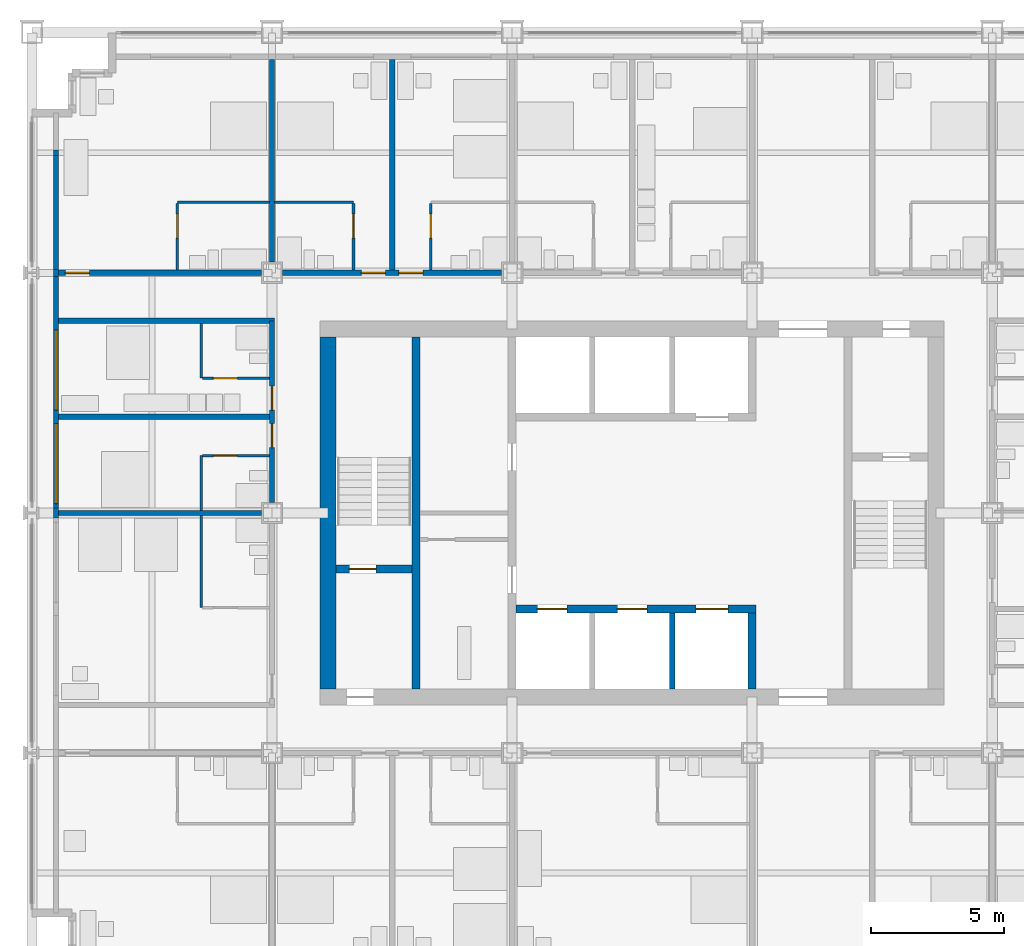
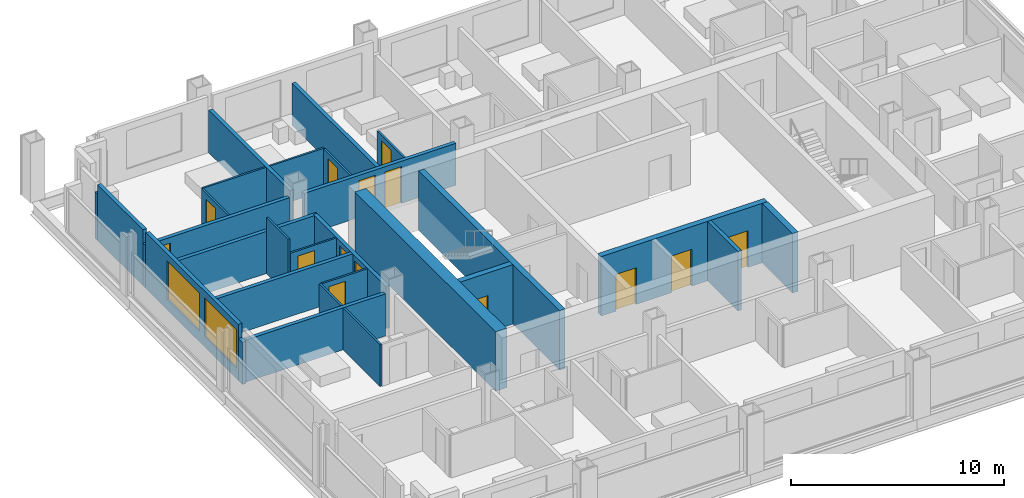
# One storey, part 10 of 17: 29 walls, 14 doors, 2 windows, 16 openings.
"""IFC4 building model written with IfcOpenShell, lengths in metres."""

import ifcopenshell
import ifcopenshell.guid

model = None  # the IFC model being written
_history = None  # IfcOwnerHistory: only IFC2X3 demands one
_inside = {}  # id of a spatial element -> (the spatial element, [elements in it])
_under = {}  # id of a project, library or spatial element -> (it, [spatial elements below it])
_declared = {}  # id of a project -> (the project, [libraries it declares])
_typed = {}  # id of a type object -> (the type object, [elements of that type])
_made_of = {}  # id of a material, layer set ... -> (it, [elements and type objects made of it])


def new_model(schema):
    """Start an empty IFC model of exactly this schema.

    Asked for "IFC4X3", IfcOpenShell would pick the latest addendum, in which some entities
    have other attributes; the version numbers below select the first issue.
    IFC2X3 requires an IfcOwnerHistory on every rooted entity: one is made here for all.
    """
    global model, _history
    if schema == "IFC4X3":
        model = ifcopenshell.file(schema_version=(4, 3, 0, 0))
    else:
        model = ifcopenshell.file(schema=schema)
    _inside.clear()
    _under.clear()
    _declared.clear()
    _typed.clear()
    _made_of.clear()
    _history = None
    if model.schema == "IFC2X3":
        org = make("IfcOrganization", Name="unknown")
        user = make(
            "IfcPersonAndOrganization",
            ThePerson=make("IfcPerson", FamilyName="unknown"),
            TheOrganization=org,
        )
        app = make(
            "IfcApplication",
            ApplicationDeveloper=org,
            Version="unknown",
            ApplicationFullName="unknown",
            ApplicationIdentifier="unknown",
        )
        _history = make(
            "IfcOwnerHistory",
            OwningUser=user,
            OwningApplication=app,
            ChangeAction="ADDED",
            CreationDate=0,
        )
    return model


def make(cls, **values):
    """One entity of the class cls with the attributes given. An attribute that is None is left unset."""
    return model.create_entity(
        cls, **{name: value for name, value in values.items() if value is not None}
    )


def rooted(cls, **values):
    """An entity with a GlobalId (a new one), such as an element, a storey or a relation."""
    return make(cls, GlobalId=ifcopenshell.guid.new(), OwnerHistory=_history, **values)


def si_unit(unit_type, name, prefix=None):
    """IfcSIUnit, for example si_unit("LENGTHUNIT", "METRE", prefix="MILLI")."""
    return make("IfcSIUnit", UnitType=unit_type, Prefix=prefix, Name=name)


def assignment(units):
    """IfcUnitAssignment: the units of a project."""
    return None if units is None else make("IfcUnitAssignment", Units=units)


def point(xyz):
    """IfcCartesianPoint."""
    return None if xyz is None else make("IfcCartesianPoint", Coordinates=xyz)


def direction(xyz):
    """IfcDirection."""
    return None if xyz is None else make("IfcDirection", DirectionRatios=xyz)


def frame(location, z_axis=None, x_axis=None):
    """IfcAxis2Placement3D, a coordinate frame: its origin and axes. An axis left out is left unset."""
    return make(
        "IfcAxis2Placement3D",
        Location=point(location),
        Axis=direction(z_axis),
        RefDirection=direction(x_axis),
    )


def frame_2d(location, x_axis=None):
    """IfcAxis2Placement2D, a coordinate frame in the plane: its origin and x axis."""
    return make(
        "IfcAxis2Placement2D", Location=point(location), RefDirection=direction(x_axis)
    )


def origin():
    """The frame at (0, 0, 0) with its axes left unset."""
    return frame((0.0, 0.0, 0.0))


def place(relative_to, where):
    """IfcLocalPlacement: puts the frame where relative to a parent placement (None: the world)."""
    return make(
        "IfcLocalPlacement", PlacementRelTo=relative_to, RelativePlacement=where
    )


def context(
    kind, dimensions, precision=None, world=None, true_north=None, identifier=None
):
    """IfcGeometricRepresentationContext, for example the 3D "Model" context."""
    return make(
        "IfcGeometricRepresentationContext",
        ContextIdentifier=identifier,
        ContextType=kind,
        CoordinateSpaceDimension=dimensions,
        Precision=precision,
        WorldCoordinateSystem=world,
        TrueNorth=true_north,
    )


def subcontext(parent, identifier, kind, view, scale=None):
    """IfcGeometricRepresentationSubContext, for example "Body" below "Model"."""
    return make(
        "IfcGeometricRepresentationSubContext",
        ContextIdentifier=identifier,
        ContextType=kind,
        ParentContext=parent,
        TargetScale=scale,
        TargetView=view,
    )


def project(units=None, contexts=None):
    """IfcProject with its units and contexts."""
    return rooted(
        "IfcProject",
        Name="project",
        RepresentationContexts=contexts,
        UnitsInContext=assignment(units),
    )


def spatial(cls, under=None, at=None, **own):
    """A site, building, storey or space (cls), placed at a placement, below another one or the project."""
    s = rooted(cls, ObjectPlacement=at, **own)
    if under is not None:
        _under.setdefault(under.id(), (under, []))[1].append(s)
    return s


def profile(cls, at=None, kind="AREA", **sizes):
    """A parametric profile (cls). Its sizes go by their IFC names, for example OverallWidth=200.0."""
    return make(cls, ProfileType=kind, Position=at, **sizes)


def rectangle(**sizes):
    """IfcRectangleProfileDef."""
    return profile("IfcRectangleProfileDef", **sizes)


def extrude(swept, where, along, depth):
    """IfcExtrudedAreaSolid: the profile swept, set in the frame where, extruded along a direction by depth."""
    return make(
        "IfcExtrudedAreaSolid",
        SweptArea=swept,
        Position=where,
        ExtrudedDirection=direction(along),
        Depth=depth,
    )


def shape(context_of_items, identifier, shape_type, items):
    """IfcShapeRepresentation: the items that make up one representation, for example the "Body"."""
    return make(
        "IfcShapeRepresentation",
        ContextOfItems=context_of_items,
        RepresentationIdentifier=identifier,
        RepresentationType=shape_type,
        Items=items,
    )


def material(Name=None, Category=None):
    """IfcMaterial."""
    return make("IfcMaterial", Name=Name, Category=Category)


def layer(
    of_material, thickness, ventilated=None, Name=None, Category=None, Priority=None
):
    """IfcMaterialLayer: one layer of a wall or slab, of a material (None: an air gap)."""
    return make(
        "IfcMaterialLayer",
        Material=of_material,
        LayerThickness=thickness,
        IsVentilated=ventilated,
        Name=Name,
        Category=Category,
        Priority=Priority,
    )


def layer_set(layers, Name=None):
    """IfcMaterialLayerSet."""
    return make("IfcMaterialLayerSet", MaterialLayers=layers, LayerSetName=Name)


def made_of(thing, what):
    """Note that an element or type object is made of a material, layer set ...; save() writes the relation."""
    if what is not None:
        _made_of.setdefault(what.id(), (what, []))[1].append(thing)
    return thing


def type_object(cls, material=None, **own):
    """A type object (cls), such as IfcWallType, which elements share."""
    return made_of(rooted(cls, **own), material)


def element(
    cls,
    number,
    at=None,
    inside=None,
    cuts=None,
    type_object=None,
    material=None,
    context=None,
    identifier="Body",
    shape_type=None,
    held_by="IfcProductDefinitionShape",
    body=None,
    shapes=None,
    **own,
):
    """One element of the class cls, such as IfcWall. Its Tag is "e" and its number.

    at: its placement. inside: the storey or other place that contains it. cuts: it is an
    opening in that element (IfcRelVoidsElement). A single representation is given by context,
    identifier, shape_type and body (its items); several are given by shapes. held_by: the class
    of the entity that holds the representations. save() writes the other relations.
    """
    e = rooted(cls, Tag="e%d" % number, ObjectPlacement=at, **own)
    if body is not None:
        shapes = [shape(context, identifier, shape_type, body)]
    if shapes is not None:
        e.Representation = make(held_by, Representations=shapes)
    if inside is not None:
        _inside.setdefault(inside.id(), (inside, []))[1].append(e)
    if cuts is not None:
        rooted(
            "IfcRelVoidsElement", RelatingBuildingElement=cuts, RelatedOpeningElement=e
        )
    if type_object is not None:
        _typed.setdefault(type_object.id(), (type_object, []))[1].append(e)
    return made_of(e, material)


def fill(opening, filler):
    """IfcRelFillsElement: the door or window that sits in an opening."""
    return rooted(
        "IfcRelFillsElement",
        RelatingOpeningElement=opening,
        RelatedBuildingElement=filler,
    )


def aggregate(whole, parts):
    """IfcRelAggregates: a whole, such as a stair, and the parts it consists of."""
    return rooted("IfcRelAggregates", RelatingObject=whole, RelatedObjects=parts)


def save(model, path):
    """Write the relations noted so far, then the file.

    IfcRelAggregates (storeys below a building ...), IfcRelContainedInSpatialStructure (elements
    in a storey), IfcRelDefinesByType, IfcRelAssociatesMaterial and IfcRelDeclares: one each for
    every whole, place, type object, material and project.
    """
    for whole, parts in _under.values():
        aggregate(whole, parts)
    for where, things in _inside.values():
        rooted(
            "IfcRelContainedInSpatialStructure",
            RelatedElements=things,
            RelatingStructure=where,
        )
    for kind, things in _typed.values():
        rooted("IfcRelDefinesByType", RelatedObjects=things, RelatingType=kind)
    for what, things in _made_of.values():
        rooted("IfcRelAssociatesMaterial", RelatedObjects=things, RelatingMaterial=what)
    for by, libraries in _declared.values():
        rooted("IfcRelDeclares", RelatingContext=by, RelatedDefinitions=libraries)
    model.write(path)


model = new_model("IFC4")

# Units and contexts
model_context = context("Model", 3, precision=1e-05, world=origin(), true_north=direction((0.0, 1.0)))
body_context = subcontext(model_context, "Body", "Model", "MODEL_VIEW")
ifc_project = project(units=[si_unit("LENGTHUNIT", "METRE"), si_unit("AREAUNIT", "SQUARE_METRE"), si_unit("VOLUMEUNIT", "CUBIC_METRE"), si_unit("PLANEANGLEUNIT", "RADIAN"), si_unit("MASSUNIT", "GRAM", prefix="KILO")], contexts=[model_context])

# Site, building, storey
site_placement = place(None, origin())
site = spatial("IfcSite", under=ifc_project, at=site_placement, CompositionType="ELEMENT")
building_placement = place(site_placement, origin())
building = spatial("IfcBuilding", under=site, at=building_placement, Name="Loomwork Tower", CompositionType="ELEMENT")
storey_placement = place(building_placement, frame((0.0, 0.0, 141.800048828125)))
storey = spatial("IfcBuildingStorey", under=building, at=storey_placement, Name="L38", CompositionType="ELEMENT", Elevation=141.800048828125)

# Wall
ifc_material_1 = material(Name="Concrete 14000 psi (97 MPa)", Category="concrete")
ifc_layer_1 = layer(ifc_material_1, 0.300048828125)
ifc_layer_set_1 = layer_set([ifc_layer_1], Name="Core shear wall 300")
wall_type_1 = type_object("IfcWallType", Name="Core shear wall 300", PredefinedType="SHEAR", material=ifc_layer_set_1)
wall_1_placement = place(storey_placement, frame((14.39990234375, 11.39990234375, 0.0), z_axis=(0.0, 0.0, 1.0), x_axis=(0.0, 1.0, 0.0)))
element("IfcWall", 1, at=wall_1_placement, inside=storey, type_object=wall_type_1, Name="Stair A east wall L38", PredefinedType="SHEAR", context=body_context, shape_type="SweptSolid", body=[
    extrude(rectangle(XDim=13.2001953125, YDim=0.300048828125, at=frame_2d((6.60009765625, 0.0))), origin(), (0.0, 0.0, 1.0), 3.39990234375),
])

# Wall, opening, door
wall_2_placement = place(storey_placement, frame((11.39990234375, 15.89990234375, 0.0), z_axis=(0.0, 0.0, 1.0), x_axis=(1.0, 0.0, 0.0)))
wall_2 = element("IfcWall", 2, at=wall_2_placement, inside=storey, type_object=wall_type_1, Name="Stair A south wall L38", PredefinedType="SHEAR", context=body_context, shape_type="SweptSolid", body=[
    extrude(rectangle(XDim=2.85009765625, YDim=0.300048828125, at=frame_2d((1.425048828125, 0.0))), origin(), (0.0, 0.0, 1.0), 3.39990234375),
])
opening_1_placement = place(wall_2_placement, frame((0.5, 0.0, 0.0)))
opening_1 = element("IfcOpeningElement", 3, at=opening_1_placement, cuts=wall_2, Name="Opening D4", PredefinedType="OPENING", context=body_context, shape_type="SweptSolid", body=[
    extrude(rectangle(XDim=1.0, YDim=2.10009765625, at=frame_2d((0.5, 1.050048828125))), frame((0.0, 0.159912109375, 0.0), z_axis=(0.0, -1.0, 0.0), x_axis=(1.0, 0.0, 0.0)), (0.0, 0.0, 1.0), 0.320068359375),
])
ifc_material_2 = material(Name="Hollow metal door and frame")
door_type_1 = type_object("IfcDoorType", Name="Stair door 1000", OperationType="SINGLE_SWING_RIGHT", PredefinedType="DOOR", material=ifc_material_2)
door_1_placement = place(opening_1_placement, origin())
door_1 = element("IfcDoor", 4, at=door_1_placement, inside=storey, type_object=door_type_1, Name="Stair A door", OperationType="SINGLE_SWING_LEFT", OverallHeight=2.10009765625, OverallWidth=1.0, PredefinedType="DOOR", context=body_context, shape_type="SweptSolid", body=[
    extrude(rectangle(XDim=1.0, YDim=2.10009765625, at=frame_2d((0.5, 1.050048828125))), frame((0.0, 0.02490234375, 0.0), z_axis=(0.0, -1.0, 0.0), x_axis=(1.0, 0.0, 0.0)), (0.0, 0.0, 1.0), 0.050048828125),
])
fill(opening_1, door_1)

# Wall, openings, doors
wall_3_placement = place(storey_placement, frame((18.14990234375, 14.39990234375, 0.0), z_axis=(0.0, 0.0, 1.0), x_axis=(1.0, 0.0, 0.0)))
wall_3 = element("IfcWall", 5, at=wall_3_placement, inside=storey, type_object=wall_type_1, Name="Lift front wall south L38", PredefinedType="SHEAR", context=body_context, shape_type="SweptSolid", body=[
    extrude(rectangle(XDim=9.0, YDim=0.300048828125, at=frame_2d((4.5, 0.0))), origin(), (0.0, 0.0, 1.0), 3.39990234375),
])
opening_2_placement = place(wall_3_placement, frame((0.800048828125, 0.0, 0.0)))
opening_2 = element("IfcOpeningElement", 6, at=opening_2_placement, cuts=wall_3, Name="Opening LD1", PredefinedType="OPENING", context=body_context, shape_type="SweptSolid", body=[
    extrude(rectangle(XDim=1.10009765625, YDim=2.10009765625, at=frame_2d((0.550048828125, 1.050048828125))), frame((0.0, 0.159912109375, 0.0), z_axis=(0.0, -1.0, 0.0), x_axis=(1.0, 0.0, 0.0)), (0.0, 0.0, 1.0), 0.320068359375),
])
opening_3_placement = place(wall_3_placement, frame((3.800048828125, 0.0, 0.0)))
opening_3 = element("IfcOpeningElement", 7, at=opening_3_placement, cuts=wall_3, Name="Opening LD1", PredefinedType="OPENING", context=body_context, shape_type="SweptSolid", body=[
    extrude(rectangle(XDim=1.10009765625, YDim=2.10009765625, at=frame_2d((0.550048828125, 1.050048828125))), frame((0.0, 0.159912109375, 0.0), z_axis=(0.0, -1.0, 0.0), x_axis=(1.0, 0.0, 0.0)), (0.0, 0.0, 1.0), 0.320068359375),
])
opening_4_placement = place(wall_3_placement, frame((6.75, 0.0, 0.0)))
opening_4 = element("IfcOpeningElement", 8, at=opening_4_placement, cuts=wall_3, Name="Opening LD2", PredefinedType="OPENING", context=body_context, shape_type="SweptSolid", body=[
    extrude(rectangle(XDim=1.199951171875, YDim=2.10009765625, at=frame_2d((0.60009765625, 1.050048828125))), frame((0.0, 0.159912109375, 0.0), z_axis=(0.0, -1.0, 0.0), x_axis=(1.0, 0.0, 0.0)), (0.0, 0.0, 1.0), 0.320068359375),
])
ifc_material_3 = material(Name="Hollow metal door and frame")
door_type_2 = type_object("IfcDoorType", Name="Lift landing door 1100", OperationType="SLIDING_TO_LEFT", PredefinedType="DOOR", material=ifc_material_3)
door_2_placement = place(opening_2_placement, origin())
door_2 = element("IfcDoor", 9, at=door_2_placement, inside=storey, type_object=door_type_2, Name="Lift landing door LB1", OperationType="SLIDING_TO_LEFT", OverallHeight=2.10009765625, OverallWidth=1.10009765625, PredefinedType="DOOR", context=body_context, shape_type="SweptSolid", body=[
    extrude(rectangle(XDim=1.10009765625, YDim=2.10009765625, at=frame_2d((0.550048828125, 1.050048828125))), frame((0.0, 0.02490234375, 0.0), z_axis=(0.0, -1.0, 0.0), x_axis=(1.0, 0.0, 0.0)), (0.0, 0.0, 1.0), 0.050048828125),
])
fill(opening_2, door_2)
door_3_placement = place(opening_3_placement, origin())
door_3 = element("IfcDoor", 10, at=door_3_placement, inside=storey, type_object=door_type_2, Name="Lift landing door LB2", OperationType="SLIDING_TO_LEFT", OverallHeight=2.10009765625, OverallWidth=1.10009765625, PredefinedType="DOOR", context=body_context, shape_type="SweptSolid", body=[
    extrude(rectangle(XDim=1.10009765625, YDim=2.10009765625, at=frame_2d((0.550048828125, 1.050048828125))), frame((0.0, 0.02490234375, 0.0), z_axis=(0.0, -1.0, 0.0), x_axis=(1.0, 0.0, 0.0)), (0.0, 0.0, 1.0), 0.050048828125),
])
fill(opening_3, door_3)
ifc_material_4 = material(Name="Hollow metal door and frame")
door_type_3 = type_object("IfcDoorType", Name="Lift landing door 1200", OperationType="SLIDING_TO_LEFT", PredefinedType="DOOR", material=ifc_material_4)
door_4_placement = place(opening_4_placement, origin())
door_4 = element("IfcDoor", 11, at=door_4_placement, inside=storey, type_object=door_type_3, Name="Lift landing door LF1", OperationType="SLIDING_TO_LEFT", OverallHeight=2.10009765625, OverallWidth=1.199951171875, PredefinedType="DOOR", context=body_context, shape_type="SweptSolid", body=[
    extrude(rectangle(XDim=1.199951171875, YDim=2.10009765625, at=frame_2d((0.60009765625, 1.050048828125))), frame((0.0, 0.02490234375, 0.0), z_axis=(0.0, -1.0, 0.0), x_axis=(1.0, 0.0, 0.0)), (0.0, 0.0, 1.0), 0.050048828125),
])
fill(opening_4, door_4)

# Walls
wall_4_placement = place(storey_placement, frame((27.0, 11.39990234375, 0.0), z_axis=(0.0, 0.0, 1.0), x_axis=(0.0, 1.0, 0.0)))
element("IfcWall", 12, at=wall_4_placement, inside=storey, type_object=wall_type_1, Name="Lift shaft end wall south L38", PredefinedType="SHEAR", context=body_context, shape_type="SweptSolid", body=[
    extrude(rectangle(XDim=2.85009765625, YDim=0.300048828125, at=frame_2d((1.425048828125, 0.0))), origin(), (0.0, 0.0, 1.0), 3.39990234375),
])
ifc_material_5 = material(Name="Concrete 14000 psi (97 MPa)", Category="concrete")
ifc_layer_2 = layer(ifc_material_5, 0.60009765625)
ifc_layer_set_2 = layer_set([ifc_layer_2], Name="Core shear wall 600")
wall_type_2 = type_object("IfcWallType", Name="Core shear wall 600", PredefinedType="SHEAR", material=ifc_layer_set_2)
wall_5_placement = place(storey_placement, frame((11.10009765625, 11.39990234375, 0.0), z_axis=(0.0, 0.0, 1.0), x_axis=(0.0, 1.0, 0.0)))
element("IfcWall", 13, at=wall_5_placement, inside=storey, type_object=wall_type_2, Name="Core wall west L38", PredefinedType="SHEAR", context=body_context, shape_type="SweptSolid", body=[
    extrude(rectangle(XDim=13.2001953125, YDim=0.60009765625, at=frame_2d((6.60009765625, 0.0))), origin(), (0.0, 0.0, 1.0), 3.39990234375),
])

# Wall, opening, door
ifc_material_6 = material(Name="Gypsum board on steel studs, one-hour", Category="steel")
ifc_layer_3 = layer(ifc_material_6, 0.199951171875)
ifc_layer_set_3 = layer_set([ifc_layer_3], Name="Corridor wall 200")
wall_type_3 = type_object("IfcWallType", Name="Corridor wall 200", PredefinedType="PARTITIONING", material=ifc_layer_set_3)
wall_6_placement = place(storey_placement, frame((1.0, 27.0, 0.0), z_axis=(0.0, 0.0, 1.0), x_axis=(1.0, 0.0, 0.0)))
wall_6 = element("IfcWall", 14, at=wall_6_placement, inside=storey, type_object=wall_type_3, Name="North corridor wall 1", PredefinedType="PARTITIONING", context=body_context, shape_type="SweptSolid", body=[
    extrude(rectangle(XDim=7.60009765625, YDim=0.199951171875, at=frame_2d((3.800048828125, 0.0))), origin(), (0.0, 0.0, 1.0), 2.43798828125),
])
opening_5_placement = place(wall_6_placement, frame((0.25, 0.0, 0.0)))
opening_5 = element("IfcOpeningElement", 15, at=opening_5_placement, cuts=wall_6, Name="Opening D1", PredefinedType="OPENING", context=body_context, shape_type="SweptSolid", body=[
    extrude(rectangle(XDim=0.89990234375, YDim=2.10009765625, at=frame_2d((0.449951171875, 1.050048828125))), frame((0.0, 0.10986328125, 0.0), z_axis=(0.0, -1.0, 0.0), x_axis=(1.0, 0.0, 0.0)), (0.0, 0.0, 1.0), 0.219970703125),
])
ifc_material_7 = material(Name="Hollow metal door and frame")
door_type_4 = type_object("IfcDoorType", Name="Guest room entry door 900", OperationType="SINGLE_SWING_LEFT", PredefinedType="DOOR", material=ifc_material_7)
door_5_placement = place(opening_5_placement, origin())
door_5 = element("IfcDoor", 16, at=door_5_placement, inside=storey, type_object=door_type_4, Name="Guest room entry door L38 7", OperationType="SINGLE_SWING_LEFT", OverallHeight=2.10009765625, OverallWidth=0.89990234375, PredefinedType="DOOR", context=body_context, shape_type="SweptSolid", body=[
    extrude(rectangle(XDim=0.89990234375, YDim=2.10009765625, at=frame_2d((0.449951171875, 1.050048828125))), frame((0.0, 0.02490234375, 0.0), z_axis=(0.0, -1.0, 0.0), x_axis=(1.0, 0.0, 0.0)), (0.0, 0.0, 1.0), 0.050048828125),
])
fill(opening_5, door_5)

# Wall, openings, doors
wall_7_placement = place(storey_placement, frame((9.39990234375, 27.0, 0.0), z_axis=(0.0, 0.0, 1.0), x_axis=(1.0, 0.0, 0.0)))
wall_7 = element("IfcWall", 17, at=wall_7_placement, inside=storey, type_object=wall_type_3, Name="North corridor wall 2", PredefinedType="PARTITIONING", context=body_context, shape_type="SweptSolid", body=[
    extrude(rectangle(XDim=8.2001953125, YDim=0.199951171875, at=frame_2d((4.10009765625, 0.0))), origin(), (0.0, 0.0, 1.0), 2.405029296875),
])
opening_6_placement = place(wall_7_placement, frame((2.949951171875, 0.0, 0.0)))
opening_6 = element("IfcOpeningElement", 18, at=opening_6_placement, cuts=wall_7, Name="Opening D1", PredefinedType="OPENING", context=body_context, shape_type="SweptSolid", body=[
    extrude(rectangle(XDim=0.89990234375, YDim=2.10009765625, at=frame_2d((0.449951171875, 1.050048828125))), frame((0.0, 0.10986328125, 0.0), z_axis=(0.0, -1.0, 0.0), x_axis=(1.0, 0.0, 0.0)), (0.0, 0.0, 1.0), 0.219970703125),
])
opening_7_placement = place(wall_7_placement, frame((4.35009765625, 0.0, 0.0)))
opening_7 = element("IfcOpeningElement", 19, at=opening_7_placement, cuts=wall_7, Name="Opening D1", PredefinedType="OPENING", context=body_context, shape_type="SweptSolid", body=[
    extrude(rectangle(XDim=0.89990234375, YDim=2.10009765625, at=frame_2d((0.449951171875, 1.050048828125))), frame((0.0, 0.10986328125, 0.0), z_axis=(0.0, -1.0, 0.0), x_axis=(1.0, 0.0, 0.0)), (0.0, 0.0, 1.0), 0.219970703125),
])
door_6_placement = place(opening_6_placement, origin())
door_6 = element("IfcDoor", 20, at=door_6_placement, inside=storey, type_object=door_type_4, Name="Guest room entry door L38 8", OperationType="SINGLE_SWING_RIGHT", OverallHeight=2.10009765625, OverallWidth=0.89990234375, PredefinedType="DOOR", context=body_context, shape_type="SweptSolid", body=[
    extrude(rectangle(XDim=0.89990234375, YDim=2.10009765625, at=frame_2d((0.449951171875, 1.050048828125))), frame((0.0, 0.02490234375, 0.0), z_axis=(0.0, -1.0, 0.0), x_axis=(1.0, 0.0, 0.0)), (0.0, 0.0, 1.0), 0.050048828125),
])
fill(opening_6, door_6)
door_7_placement = place(opening_7_placement, origin())
door_7 = element("IfcDoor", 21, at=door_7_placement, inside=storey, type_object=door_type_4, Name="Guest room entry door L38 9", OperationType="SINGLE_SWING_LEFT", OverallHeight=2.10009765625, OverallWidth=0.89990234375, PredefinedType="DOOR", context=body_context, shape_type="SweptSolid", body=[
    extrude(rectangle(XDim=0.89990234375, YDim=2.10009765625, at=frame_2d((0.449951171875, 1.050048828125))), frame((0.0, 0.02490234375, 0.0), z_axis=(0.0, -1.0, 0.0), x_axis=(1.0, 0.0, 0.0)), (0.0, 0.0, 1.0), 0.050048828125),
])
fill(opening_7, door_7)

wall_8_placement = place(storey_placement, frame((9.0, 18.39990234375, 0.0), z_axis=(0.0, 0.0, 1.0), x_axis=(0.0, 1.0, 0.0)))
wall_8 = element("IfcWall", 22, at=wall_8_placement, inside=storey, type_object=wall_type_3, Name="West corridor wall 2", PredefinedType="PARTITIONING", context=body_context, shape_type="SweptSolid", body=[
    extrude(rectangle(XDim=6.800048828125, YDim=0.199951171875, at=frame_2d((3.39990234375, 0.0))), origin(), (0.0, 0.0, 1.0), 2.405029296875),
])
opening_8_placement = place(wall_8_placement, frame((2.050048828125, 0.0, 0.0)))
opening_8 = element("IfcOpeningElement", 23, at=opening_8_placement, cuts=wall_8, Name="Opening D1", PredefinedType="OPENING", context=body_context, shape_type="SweptSolid", body=[
    extrude(rectangle(XDim=0.89990234375, YDim=2.10009765625, at=frame_2d((0.449951171875, 1.050048828125))), frame((0.0, 0.10986328125, 0.0), z_axis=(0.0, -1.0, 0.0), x_axis=(1.0, 0.0, 0.0)), (0.0, 0.0, 1.0), 0.219970703125),
])
opening_9_placement = place(wall_8_placement, frame((3.449951171875, 0.0, 0.0)))
opening_9 = element("IfcOpeningElement", 24, at=opening_9_placement, cuts=wall_8, Name="Opening D1", PredefinedType="OPENING", context=body_context, shape_type="SweptSolid", body=[
    extrude(rectangle(XDim=0.89990234375, YDim=2.10009765625, at=frame_2d((0.449951171875, 1.050048828125))), frame((0.0, 0.10986328125, 0.0), z_axis=(0.0, -1.0, 0.0), x_axis=(1.0, 0.0, 0.0)), (0.0, 0.0, 1.0), 0.219970703125),
])
door_8_placement = place(opening_8_placement, origin())
door_8 = element("IfcDoor", 25, at=door_8_placement, inside=storey, type_object=door_type_4, Name="Guest room entry door L38 15", OperationType="SINGLE_SWING_RIGHT", OverallHeight=2.10009765625, OverallWidth=0.89990234375, PredefinedType="DOOR", context=body_context, shape_type="SweptSolid", body=[
    extrude(rectangle(XDim=0.89990234375, YDim=2.10009765625, at=frame_2d((0.449951171875, 1.050048828125))), frame((0.0, 0.02490234375, 0.0), z_axis=(0.0, -1.0, 0.0), x_axis=(1.0, 0.0, 0.0)), (0.0, 0.0, 1.0), 0.050048828125),
])
fill(opening_8, door_8)
door_9_placement = place(opening_9_placement, origin())
door_9 = element("IfcDoor", 26, at=door_9_placement, inside=storey, type_object=door_type_4, Name="Guest room entry door L38 16", OperationType="SINGLE_SWING_LEFT", OverallHeight=2.10009765625, OverallWidth=0.89990234375, PredefinedType="DOOR", context=body_context, shape_type="SweptSolid", body=[
    extrude(rectangle(XDim=0.89990234375, YDim=2.10009765625, at=frame_2d((0.449951171875, 1.050048828125))), frame((0.0, 0.02490234375, 0.0), z_axis=(0.0, -1.0, 0.0), x_axis=(1.0, 0.0, 0.0)), (0.0, 0.0, 1.0), 0.050048828125),
])
fill(opening_9, door_9)

# Walls
wall_9_placement = place(storey_placement, frame((1.0, 25.199951171875, 0.0), z_axis=(0.0, 0.0, 1.0), x_axis=(1.0, 0.0, 0.0)))
element("IfcWall", 27, at=wall_9_placement, inside=storey, type_object=wall_type_3, Name="West band end wall N", PredefinedType="PARTITIONING", context=body_context, shape_type="SweptSolid", body=[
    extrude(rectangle(XDim=8.10009765625, YDim=0.199951171875, at=frame_2d((4.050048828125, 0.0))), origin(), (0.0, 0.0, 1.0), 2.404052734375),
])
ifc_material_8 = material(Name="Cement board on steel studs", Category="steel")
ifc_layer_4 = layer(ifc_material_8, 0.10009765625)
ifc_layer_set_4 = layer_set([ifc_layer_4], Name="En-suite partition 100")
wall_type_4 = type_object("IfcWallType", Name="En-suite partition 100", PredefinedType="PARTITIONING", material=ifc_layer_set_4)
wall_10_placement = place(storey_placement, frame((5.449951171875, 29.64990234375, 0.0), z_axis=(0.0, 0.0, 1.0), x_axis=(1.0, 0.0, 0.0)))
element("IfcWall", 28, at=wall_10_placement, inside=storey, type_object=wall_type_4, Name="En-suite wall L38 room 7", PredefinedType="PARTITIONING", context=body_context, shape_type="SweptSolid", body=[
    extrude(rectangle(XDim=3.449951171875, YDim=0.10009765625, at=frame_2d((1.72509765625, 0.0))), origin(), (0.0, 0.0, 1.0), 2.43798828125),
])

# Wall, opening, door
wall_11_placement = place(storey_placement, frame((5.449951171875, 27.10009765625, 0.0), z_axis=(0.0, 0.0, 1.0), x_axis=(0.0, 1.0, 0.0)))
wall_11 = element("IfcWall", 29, at=wall_11_placement, inside=storey, type_object=wall_type_4, Name="En-suite side wall L38 room 7", PredefinedType="PARTITIONING", context=body_context, shape_type="SweptSolid", body=[
    extrude(rectangle(XDim=2.5, YDim=0.10009765625, at=frame_2d((1.25, 0.0))), origin(), (0.0, 0.0, 1.0), 2.43798828125),
])
opening_10_placement = place(wall_11_placement, frame((1.199951171875, 0.0, 0.0)))
opening_10 = element("IfcOpeningElement", 30, at=opening_10_placement, cuts=wall_11, Name="Opening D2", PredefinedType="OPENING", context=body_context, shape_type="SweptSolid", body=[
    extrude(rectangle(XDim=0.89990234375, YDim=2.10009765625, at=frame_2d((0.449951171875, 1.050048828125))), frame((0.0, 0.06005859375, 0.0), z_axis=(0.0, -1.0, 0.0), x_axis=(1.0, 0.0, 0.0)), (0.0, 0.0, 1.0), 0.1201171875),
])
ifc_material_9 = material(Name="Hollow metal door and frame")
door_type_5 = type_object("IfcDoorType", Name="En-suite door 900", OperationType="SINGLE_SWING_LEFT", PredefinedType="DOOR", material=ifc_material_9)
door_10_placement = place(opening_10_placement, frame((0.89990234375, 0.0, 0.0), z_axis=(0.0, 0.0, 1.0), x_axis=(-1.0, 0.0, 0.0)))
door_10 = element("IfcDoor", 31, at=door_10_placement, inside=storey, type_object=door_type_5, Name="En-suite door room 7", OperationType="SINGLE_SWING_LEFT", OverallHeight=2.10009765625, OverallWidth=0.89990234375, PredefinedType="DOOR", context=body_context, shape_type="SweptSolid", body=[
    extrude(rectangle(XDim=0.89990234375, YDim=2.10009765625, at=frame_2d((0.449951171875, 1.050048828125))), frame((0.0, 0.02490234375, 0.0), z_axis=(0.0, -1.0, 0.0), x_axis=(1.0, 0.0, 0.0)), (0.0, 0.0, 1.0), 0.050048828125),
])
fill(opening_10, door_10)

# Wall
wall_12_placement = place(storey_placement, frame((9.10009765625, 29.64990234375, 0.0), z_axis=(0.0, 0.0, 1.0), x_axis=(1.0, 0.0, 0.0)))
element("IfcWall", 32, at=wall_12_placement, inside=storey, type_object=wall_type_4, Name="En-suite wall L38 room 8", PredefinedType="PARTITIONING", context=body_context, shape_type="SweptSolid", body=[
    extrude(rectangle(XDim=2.949951171875, YDim=0.10009765625, at=frame_2d((1.47509765625, 0.0))), origin(), (0.0, 0.0, 1.0), 2.43798828125),
])

# Wall, opening, door
wall_13_placement = place(storey_placement, frame((12.050048828125, 27.10009765625, 0.0), z_axis=(0.0, 0.0, 1.0), x_axis=(0.0, 1.0, 0.0)))
wall_13 = element("IfcWall", 33, at=wall_13_placement, inside=storey, type_object=wall_type_4, Name="En-suite side wall L38 room 8", PredefinedType="PARTITIONING", context=body_context, shape_type="SweptSolid", body=[
    extrude(rectangle(XDim=2.5, YDim=0.10009765625, at=frame_2d((1.25, 0.0))), origin(), (0.0, 0.0, 1.0), 2.404052734375),
])
opening_11_placement = place(wall_13_placement, frame((1.199951171875, 0.0, 0.0)))
opening_11 = element("IfcOpeningElement", 34, at=opening_11_placement, cuts=wall_13, Name="Opening D2", PredefinedType="OPENING", context=body_context, shape_type="SweptSolid", body=[
    extrude(rectangle(XDim=0.89990234375, YDim=2.10009765625, at=frame_2d((0.449951171875, 1.050048828125))), frame((0.0, 0.06005859375, 0.0), z_axis=(0.0, -1.0, 0.0), x_axis=(1.0, 0.0, 0.0)), (0.0, 0.0, 1.0), 0.1201171875),
])
door_11_placement = place(opening_11_placement, origin())
door_11 = element("IfcDoor", 35, at=door_11_placement, inside=storey, type_object=door_type_5, Name="En-suite door room 8", OperationType="SINGLE_SWING_RIGHT", OverallHeight=2.10009765625, OverallWidth=0.89990234375, PredefinedType="DOOR", context=body_context, shape_type="SweptSolid", body=[
    extrude(rectangle(XDim=0.89990234375, YDim=2.10009765625, at=frame_2d((0.449951171875, 1.050048828125))), frame((0.0, 0.02490234375, 0.0), z_axis=(0.0, -1.0, 0.0), x_axis=(1.0, 0.0, 0.0)), (0.0, 0.0, 1.0), 0.050048828125),
])
fill(opening_11, door_11)

wall_14_placement = place(storey_placement, frame((14.949951171875, 27.10009765625, 0.0), z_axis=(0.0, 0.0, 1.0), x_axis=(0.0, 1.0, 0.0)))
wall_14 = element("IfcWall", 36, at=wall_14_placement, inside=storey, type_object=wall_type_4, Name="En-suite side wall L38 room 9", PredefinedType="PARTITIONING", context=body_context, shape_type="SweptSolid", body=[
    extrude(rectangle(XDim=2.5, YDim=0.10009765625, at=frame_2d((1.25, 0.0))), origin(), (0.0, 0.0, 1.0), 2.404052734375),
])
opening_12_placement = place(wall_14_placement, frame((1.199951171875, 0.0, 0.0)))
opening_12 = element("IfcOpeningElement", 37, at=opening_12_placement, cuts=wall_14, Name="Opening D2", PredefinedType="OPENING", context=body_context, shape_type="SweptSolid", body=[
    extrude(rectangle(XDim=0.89990234375, YDim=2.10009765625, at=frame_2d((0.449951171875, 1.050048828125))), frame((0.0, 0.06005859375, 0.0), z_axis=(0.0, -1.0, 0.0), x_axis=(1.0, 0.0, 0.0)), (0.0, 0.0, 1.0), 0.1201171875),
])
door_12_placement = place(opening_12_placement, frame((0.89990234375, 0.0, 0.0), z_axis=(0.0, 0.0, 1.0), x_axis=(-1.0, 0.0, 0.0)))
door_12 = element("IfcDoor", 38, at=door_12_placement, inside=storey, type_object=door_type_5, Name="En-suite door room 9", OperationType="SINGLE_SWING_LEFT", OverallHeight=2.10009765625, OverallWidth=0.89990234375, PredefinedType="DOOR", context=body_context, shape_type="SweptSolid", body=[
    extrude(rectangle(XDim=0.89990234375, YDim=2.10009765625, at=frame_2d((0.449951171875, 1.050048828125))), frame((0.0, 0.02490234375, 0.0), z_axis=(0.0, -1.0, 0.0), x_axis=(1.0, 0.0, 0.0)), (0.0, 0.0, 1.0), 0.050048828125),
])
fill(opening_12, door_12)

# Walls
wall_15_placement = place(storey_placement, frame((6.35009765625, 14.449951171875, 0.0), z_axis=(0.0, 0.0, 1.0), x_axis=(0.0, 1.0, 0.0)))
element("IfcWall", 39, at=wall_15_placement, inside=storey, type_object=wall_type_4, Name="En-suite wall L38 room 14", PredefinedType="PARTITIONING", context=body_context, shape_type="SweptSolid", body=[
    extrude(rectangle(XDim=3.449951171875, YDim=0.10009765625, at=frame_2d((1.72509765625, 0.0))), origin(), (0.0, 0.0, 1.0), 2.404052734375),
])
wall_16_placement = place(storey_placement, frame((6.35009765625, 18.10009765625, 0.0), z_axis=(0.0, 0.0, 1.0), x_axis=(0.0, 1.0, 0.0)))
element("IfcWall", 40, at=wall_16_placement, inside=storey, type_object=wall_type_4, Name="En-suite wall L38 room 15", PredefinedType="PARTITIONING", context=body_context, shape_type="SweptSolid", body=[
    extrude(rectangle(XDim=2.0498046875, YDim=0.10009765625, at=frame_2d((1.02490234375, 0.0))), origin(), (0.0, 0.0, 1.0), 2.404052734375),
])

# Wall, opening, door
wall_17_placement = place(storey_placement, frame((8.89990234375, 20.14990234375, 0.0), z_axis=(0.0, 0.0, 1.0), x_axis=(-1.0, 0.0, 0.0)))
wall_17 = element("IfcWall", 41, at=wall_17_placement, inside=storey, type_object=wall_type_4, Name="En-suite side wall L38 room 15", PredefinedType="PARTITIONING", context=body_context, shape_type="SweptSolid", body=[
    extrude(rectangle(XDim=2.5, YDim=0.10009765625, at=frame_2d((1.25, 0.0))), origin(), (0.0, 0.0, 1.0), 2.404052734375),
])
opening_13_placement = place(wall_17_placement, frame((1.199951171875, 0.0, 0.0)))
opening_13 = element("IfcOpeningElement", 42, at=opening_13_placement, cuts=wall_17, Name="Opening D2", PredefinedType="OPENING", context=body_context, shape_type="SweptSolid", body=[
    extrude(rectangle(XDim=0.89990234375, YDim=2.10009765625, at=frame_2d((0.449951171875, 1.050048828125))), frame((0.0, 0.06005859375, 0.0), z_axis=(0.0, -1.0, 0.0), x_axis=(1.0, 0.0, 0.0)), (0.0, 0.0, 1.0), 0.1201171875),
])
door_13_placement = place(opening_13_placement, origin())
door_13 = element("IfcDoor", 43, at=door_13_placement, inside=storey, type_object=door_type_5, Name="En-suite door room 15", OperationType="SINGLE_SWING_RIGHT", OverallHeight=2.10009765625, OverallWidth=0.89990234375, PredefinedType="DOOR", context=body_context, shape_type="SweptSolid", body=[
    extrude(rectangle(XDim=0.89990234375, YDim=2.10009765625, at=frame_2d((0.449951171875, 1.050048828125))), frame((0.0, 0.02490234375, 0.0), z_axis=(0.0, -1.0, 0.0), x_axis=(1.0, 0.0, 0.0)), (0.0, 0.0, 1.0), 0.050048828125),
])
fill(opening_13, door_13)

# Wall
wall_18_placement = place(storey_placement, frame((6.35009765625, 23.050048828125, 0.0), z_axis=(0.0, 0.0, 1.0), x_axis=(0.0, 1.0, 0.0)))
element("IfcWall", 44, at=wall_18_placement, inside=storey, type_object=wall_type_4, Name="En-suite wall L38 room 16", PredefinedType="PARTITIONING", context=body_context, shape_type="SweptSolid", body=[
    extrude(rectangle(XDim=2.050048828125, YDim=0.10009765625, at=frame_2d((1.02490234375, 0.0))), origin(), (0.0, 0.0, 1.0), 3.199951171875),
])

# Wall, opening, door
wall_19_placement = place(storey_placement, frame((8.89990234375, 23.050048828125, 0.0), z_axis=(0.0, 0.0, 1.0), x_axis=(-1.0, 0.0, 0.0)))
wall_19 = element("IfcWall", 45, at=wall_19_placement, inside=storey, type_object=wall_type_4, Name="En-suite side wall L38 room 16", PredefinedType="PARTITIONING", context=body_context, shape_type="SweptSolid", body=[
    extrude(rectangle(XDim=2.5, YDim=0.10009765625, at=frame_2d((1.25, 0.0))), origin(), (0.0, 0.0, 1.0), 2.404052734375),
])
opening_14_placement = place(wall_19_placement, frame((1.199951171875, 0.0, 0.0)))
opening_14 = element("IfcOpeningElement", 46, at=opening_14_placement, cuts=wall_19, Name="Opening D2", PredefinedType="OPENING", context=body_context, shape_type="SweptSolid", body=[
    extrude(rectangle(XDim=0.89990234375, YDim=2.10009765625, at=frame_2d((0.449951171875, 1.050048828125))), frame((0.0, 0.06005859375, 0.0), z_axis=(0.0, -1.0, 0.0), x_axis=(1.0, 0.0, 0.0)), (0.0, 0.0, 1.0), 0.1201171875),
])
door_14_placement = place(opening_14_placement, frame((0.89990234375, 0.0, 0.0), z_axis=(0.0, 0.0, 1.0), x_axis=(-1.0, 0.0, 0.0)))
door_14 = element("IfcDoor", 47, at=door_14_placement, inside=storey, type_object=door_type_5, Name="En-suite door room 16", OperationType="SINGLE_SWING_LEFT", OverallHeight=2.10009765625, OverallWidth=0.89990234375, PredefinedType="DOOR", context=body_context, shape_type="SweptSolid", body=[
    extrude(rectangle(XDim=0.89990234375, YDim=2.10009765625, at=frame_2d((0.449951171875, 1.050048828125))), frame((0.0, 0.02490234375, 0.0), z_axis=(0.0, -1.0, 0.0), x_axis=(1.0, 0.0, 0.0)), (0.0, 0.0, 1.0), 0.050048828125),
])
fill(opening_14, door_14)

# Walls
ifc_material_10 = material(Name="Gypsum board on steel studs, acoustic", Category="steel")
ifc_layer_5 = layer(ifc_material_10, 0.199951171875)
ifc_layer_set_5 = layer_set([ifc_layer_5], Name="Guest room party wall 200")
wall_type_5 = type_object("IfcWallType", Name="Guest room party wall 200", PredefinedType="PARTITIONING", material=ifc_layer_set_5)
wall_20_placement = place(storey_placement, frame((9.0, 27.39990234375, 0.0), z_axis=(0.0, 0.0, 1.0), x_axis=(0.0, 1.0, 0.0)))
element("IfcWall", 48, at=wall_20_placement, inside=storey, type_object=wall_type_5, Name="Guest room party wall N 9", PredefinedType="PARTITIONING", context=body_context, shape_type="SweptSolid", body=[
    extrude(rectangle(XDim=7.60009765625, YDim=0.199951171875, at=frame_2d((3.800048828125, 0.0))), origin(), (0.0, 0.0, 1.0), 2.43798828125),
])
wall_21_placement = place(storey_placement, frame((13.5, 27.10009765625, 0.0), z_axis=(0.0, 0.0, 1.0), x_axis=(0.0, 1.0, 0.0)))
element("IfcWall", 49, at=wall_21_placement, inside=storey, type_object=wall_type_5, Name="Guest room party wall N 13.5", PredefinedType="PARTITIONING", context=body_context, shape_type="SweptSolid", body=[
    extrude(rectangle(XDim=7.89990234375, YDim=0.199951171875, at=frame_2d((3.949951171875, 0.0))), origin(), (0.0, 0.0, 1.0), 2.404052734375),
])
wall_22_placement = place(storey_placement, frame((8.60009765625, 18.0, 0.0), z_axis=(0.0, 0.0, 1.0), x_axis=(-1.0, 0.0, 0.0)))
element("IfcWall", 50, at=wall_22_placement, inside=storey, type_object=wall_type_5, Name="Guest room party wall W 18", PredefinedType="PARTITIONING", context=body_context, shape_type="SweptSolid", body=[
    extrude(rectangle(XDim=7.60009765625, YDim=0.199951171875, at=frame_2d((3.800048828125, 0.0))), origin(), (0.0, 0.0, 1.0), 2.405029296875),
])
wall_23_placement = place(storey_placement, frame((8.89990234375, 21.60009765625, 0.0), z_axis=(0.0, 0.0, 1.0), x_axis=(-1.0, 0.0, 0.0)))
element("IfcWall", 51, at=wall_23_placement, inside=storey, type_object=wall_type_5, Name="Guest room party wall W 21.6", PredefinedType="PARTITIONING", context=body_context, shape_type="SweptSolid", body=[
    extrude(rectangle(XDim=7.89990234375, YDim=0.199951171875, at=frame_2d((3.949951171875, 0.0))), origin(), (0.0, 0.0, 1.0), 2.404052734375),
])
ifc_material_11 = material(Name="Insulated steel stud wall with gypsum lining", Category="steel")
ifc_layer_6 = layer(ifc_material_11, 0.199951171875)
ifc_layer_set_6 = layer_set([ifc_layer_6], Name="Inner skin wall 200")
wall_type_6 = type_object("IfcWallType", Name="Inner skin wall 200", PredefinedType="SOLIDWALL", material=ifc_layer_set_6)
wall_24_placement = place(storey_placement, frame((0.89990234375, 17.80615234375, 0.0), z_axis=(0.0, 0.0, 1.0), x_axis=(0.0, 1.0, 0.0)))
element("IfcWall", 52, at=wall_24_placement, inside=storey, type_object=wall_type_6, Name="Inner skin wall W bay 6", PredefinedType="SOLIDWALL", context=body_context, shape_type="SweptSolid", body=[
    extrude(rectangle(XDim=0.3876953125, YDim=0.199951171875, at=frame_2d((0.19384765625, 0.0))), origin(), (0.0, 0.0, 1.0), 2.404052734375),
])

# Wall, openings, windows
wall_25_placement = place(storey_placement, frame((0.89990234375, 18.19384765625, 0.0), z_axis=(0.0, 0.0, 1.0), x_axis=(0.0, 1.0, 0.0)))
wall_25 = element("IfcWall", 53, at=wall_25_placement, inside=storey, type_object=wall_type_6, Name="Inner skin wall W bay 7", PredefinedType="SOLIDWALL", context=body_context, shape_type="SweptSolid", body=[
    extrude(rectangle(XDim=8.6708984375, YDim=0.199951171875, at=frame_2d((4.33544921875, 0.0))), origin(), (0.0, 0.0, 1.0), 3.199951171875),
])
opening_15_placement = place(wall_25_placement, frame((0.15625, 0.0, 0.60009765625)))
opening_15 = element("IfcOpeningElement", 54, at=opening_15_placement, cuts=wall_25, Name="Opening CH1", PredefinedType="OPENING", context=body_context, shape_type="SweptSolid", body=[
    extrude(rectangle(XDim=3.0, YDim=2.199951171875, at=frame_2d((1.5, 1.10009765625))), frame((0.0, 0.10986328125, 0.0), z_axis=(0.0, -1.0, 0.0), x_axis=(1.0, 0.0, 0.0)), (0.0, 0.0, 1.0), 0.219970703125),
])
opening_16_placement = place(wall_25_placement, frame((3.65625, 0.0, 0.60009765625)))
opening_16 = element("IfcOpeningElement", 55, at=opening_16_placement, cuts=wall_25, Name="Opening CH1", PredefinedType="OPENING", context=body_context, shape_type="SweptSolid", body=[
    extrude(rectangle(XDim=3.0, YDim=2.199951171875, at=frame_2d((1.5, 1.10009765625))), frame((0.0, 0.10986328125, 0.0), z_axis=(0.0, -1.0, 0.0), x_axis=(1.0, 0.0, 0.0)), (0.0, 0.0, 1.0), 0.219970703125),
])
ifc_material_12 = material(Name="Aluminium frame with clear insulated glass", Category="aluminium")
window_type = type_object("IfcWindowType", Name="Chicago window 3000", PartitioningType="TRIPLE_PANEL_VERTICAL", PredefinedType="WINDOW", material=ifc_material_12)
window_1_placement = place(opening_15_placement, origin())
window_1 = element("IfcWindow", 56, at=window_1_placement, inside=storey, type_object=window_type, Name="Chicago window L38 bay 12", OverallHeight=2.199951171875, OverallWidth=3.0, PartitioningType="TRIPLE_PANEL_VERTICAL", PredefinedType="WINDOW", context=body_context, shape_type="SweptSolid", body=[
    extrude(rectangle(XDim=3.0, YDim=2.199951171875, at=frame_2d((1.5, 1.10009765625))), frame((0.0, 0.030029296875, 0.0), z_axis=(0.0, -1.0, 0.0), x_axis=(1.0, 0.0, 0.0)), (0.0, 0.0, 1.0), 0.06005859375),
])
fill(opening_15, window_1)
window_2_placement = place(opening_16_placement, origin())
window_2 = element("IfcWindow", 57, at=window_2_placement, inside=storey, type_object=window_type, Name="Chicago window L38 bay 12", OverallHeight=2.199951171875, OverallWidth=3.0, PartitioningType="TRIPLE_PANEL_VERTICAL", PredefinedType="WINDOW", context=body_context, shape_type="SweptSolid", body=[
    extrude(rectangle(XDim=3.0, YDim=2.199951171875, at=frame_2d((1.5, 1.10009765625))), frame((0.0, 0.030029296875, 0.0), z_axis=(0.0, -1.0, 0.0), x_axis=(1.0, 0.0, 0.0)), (0.0, 0.0, 1.0), 0.06005859375),
])
fill(opening_16, window_2)

# Walls
wall_26_placement = place(storey_placement, frame((0.89990234375, 26.86474609375, 0.0), z_axis=(0.0, 0.0, 1.0), x_axis=(0.0, 1.0, 0.0)))
element("IfcWall", 58, at=wall_26_placement, inside=storey, type_object=wall_type_6, Name="Inner skin wall W bay 8", PredefinedType="SOLIDWALL", context=body_context, shape_type="SweptSolid", body=[
    extrude(rectangle(XDim=0.2705078125, YDim=0.199951171875, at=frame_2d((0.13525390625, 0.0))), origin(), (0.0, 0.0, 1.0), 2.43798828125),
])
wall_27_placement = place(storey_placement, frame((0.89990234375, 27.13525390625, 0.0), z_axis=(0.0, 0.0, 1.0), x_axis=(0.0, 1.0, 0.0)))
element("IfcWall", 59, at=wall_27_placement, inside=storey, type_object=wall_type_6, Name="Inner skin wall W bay 9", PredefinedType="SOLIDWALL", context=body_context, shape_type="SweptSolid", body=[
    extrude(rectangle(XDim=4.25732421875, YDim=0.199951171875, at=frame_2d((2.128662109375, 0.0))), origin(), (0.0, 0.0, 1.0), 3.199951171875),
])
wall_28_placement = place(storey_placement, frame((0.89990234375, 31.392578125, 0.0), z_axis=(0.0, 0.0, 1.0), x_axis=(0.0, 1.0, 0.0)))
element("IfcWall", 60, at=wall_28_placement, inside=storey, type_object=wall_type_6, Name="Inner skin wall W bay 10", PredefinedType="SOLIDWALL", context=body_context, shape_type="SweptSolid", body=[
    extrude(rectangle(XDim=0.21484375, YDim=0.199951171875, at=frame_2d((0.107421875, 0.0))), origin(), (0.0, 0.0, 1.0), 2.660888671875),
])
ifc_material_13 = material(Name="Concrete 14000 psi (97 MPa)", Category="concrete")
ifc_layer_7 = layer(ifc_material_13, 0.199951171875)
ifc_layer_set_7 = layer_set([ifc_layer_7], Name="Lift shaft wall 200")
wall_type_7 = type_object("IfcWallType", Name="Lift shaft wall 200", PredefinedType="SHEAR", material=ifc_layer_set_7)
wall_29_placement = place(storey_placement, frame((24.0, 11.39990234375, 0.0), z_axis=(0.0, 0.0, 1.0), x_axis=(0.0, 1.0, 0.0)))
element("IfcWall", 61, at=wall_29_placement, inside=storey, type_object=wall_type_7, Name="Lift shaft separation wall south 2 L38", PredefinedType="SHEAR", context=body_context, shape_type="SweptSolid", body=[
    extrude(rectangle(XDim=2.85009765625, YDim=0.199951171875, at=frame_2d((1.425048828125, 0.0))), origin(), (0.0, 0.0, 1.0), 3.39990234375),
])

save(model, "model.ifc")
